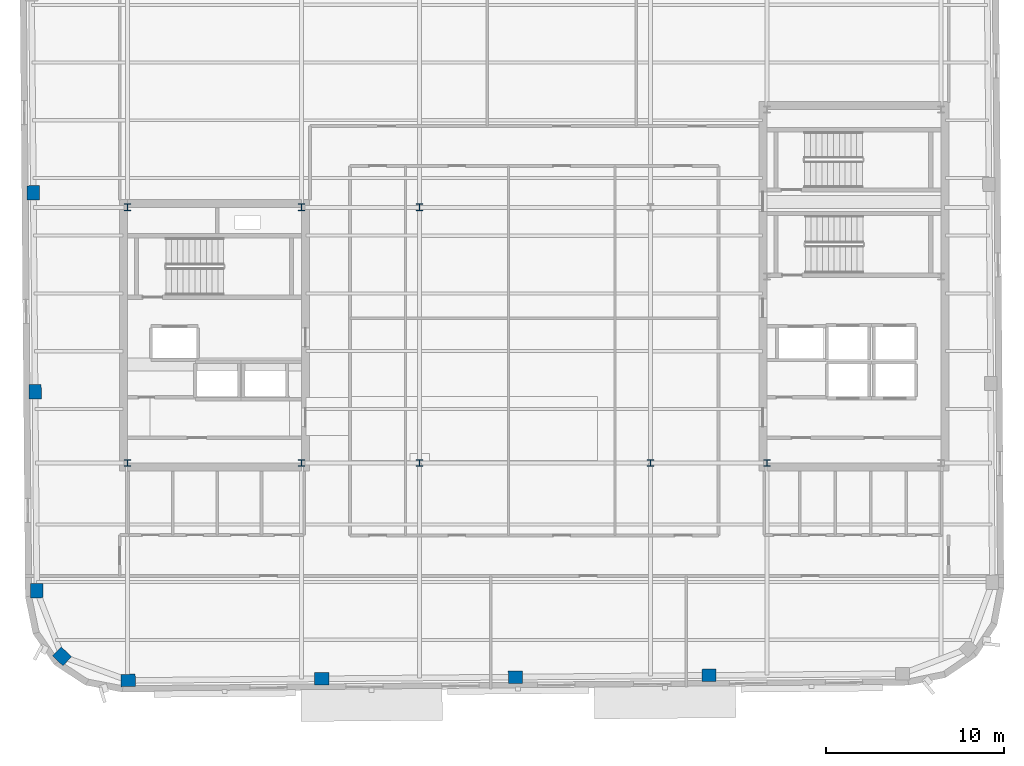
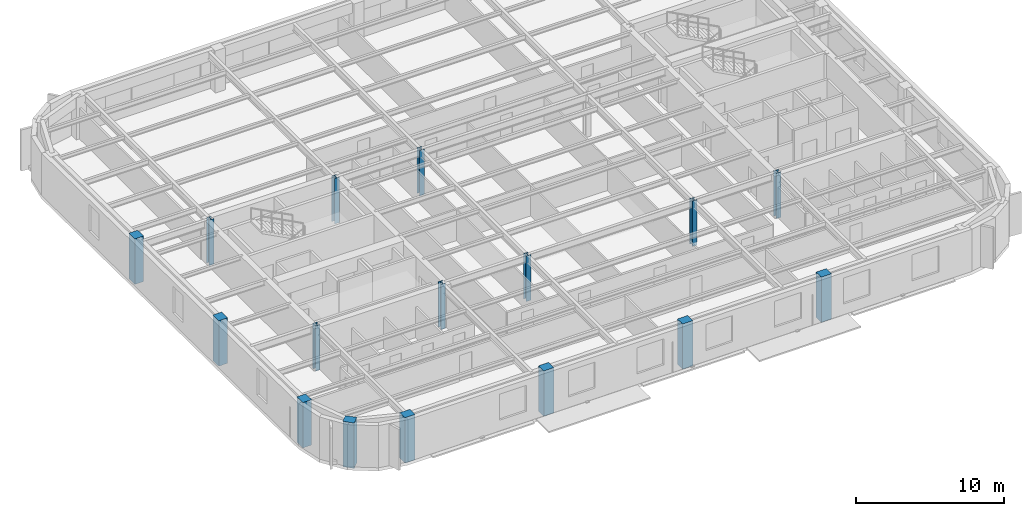
# One storey, part 1 of 15: 16 columns.
"""IFC4 building model written with IfcOpenShell, lengths in metres."""

import ifcopenshell
import ifcopenshell.guid

model = None  # the IFC model being written
_history = None  # IfcOwnerHistory: only IFC2X3 demands one
_inside = {}  # id of a spatial element -> (the spatial element, [elements in it])
_under = {}  # id of a project, library or spatial element -> (it, [spatial elements below it])
_declared = {}  # id of a project -> (the project, [libraries it declares])
_typed = {}  # id of a type object -> (the type object, [elements of that type])
_made_of = {}  # id of a material, layer set ... -> (it, [elements and type objects made of it])


def new_model(schema):
    """Start an empty IFC model of exactly this schema.

    Asked for "IFC4X3", IfcOpenShell would pick the latest addendum, in which some entities
    have other attributes; the version numbers below select the first issue.
    IFC2X3 requires an IfcOwnerHistory on every rooted entity: one is made here for all.
    """
    global model, _history
    if schema == "IFC4X3":
        model = ifcopenshell.file(schema_version=(4, 3, 0, 0))
    else:
        model = ifcopenshell.file(schema=schema)
    _inside.clear()
    _under.clear()
    _declared.clear()
    _typed.clear()
    _made_of.clear()
    _history = None
    if model.schema == "IFC2X3":
        org = make("IfcOrganization", Name="unknown")
        user = make(
            "IfcPersonAndOrganization",
            ThePerson=make("IfcPerson", FamilyName="unknown"),
            TheOrganization=org,
        )
        app = make(
            "IfcApplication",
            ApplicationDeveloper=org,
            Version="unknown",
            ApplicationFullName="unknown",
            ApplicationIdentifier="unknown",
        )
        _history = make(
            "IfcOwnerHistory",
            OwningUser=user,
            OwningApplication=app,
            ChangeAction="ADDED",
            CreationDate=0,
        )
    return model


def make(cls, **values):
    """One entity of the class cls with the attributes given. An attribute that is None is left unset."""
    return model.create_entity(
        cls, **{name: value for name, value in values.items() if value is not None}
    )


def rooted(cls, **values):
    """An entity with a GlobalId (a new one), such as an element, a storey or a relation."""
    return make(cls, GlobalId=ifcopenshell.guid.new(), OwnerHistory=_history, **values)


def si_unit(unit_type, name, prefix=None):
    """IfcSIUnit, for example si_unit("LENGTHUNIT", "METRE", prefix="MILLI")."""
    return make("IfcSIUnit", UnitType=unit_type, Prefix=prefix, Name=name)


def assignment(units):
    """IfcUnitAssignment: the units of a project."""
    return None if units is None else make("IfcUnitAssignment", Units=units)


def point(xyz):
    """IfcCartesianPoint."""
    return None if xyz is None else make("IfcCartesianPoint", Coordinates=xyz)


def direction(xyz):
    """IfcDirection."""
    return None if xyz is None else make("IfcDirection", DirectionRatios=xyz)


def frame(location, z_axis=None, x_axis=None):
    """IfcAxis2Placement3D, a coordinate frame: its origin and axes. An axis left out is left unset."""
    return make(
        "IfcAxis2Placement3D",
        Location=point(location),
        Axis=direction(z_axis),
        RefDirection=direction(x_axis),
    )


def frame_2d(location, x_axis=None):
    """IfcAxis2Placement2D, a coordinate frame in the plane: its origin and x axis."""
    return make(
        "IfcAxis2Placement2D", Location=point(location), RefDirection=direction(x_axis)
    )


def origin():
    """The frame at (0, 0, 0) with its axes left unset."""
    return frame((0.0, 0.0, 0.0))


def origin_2d():
    """The frame at (0, 0) in the plane with its x axis left unset."""
    return frame_2d((0.0, 0.0))


def place(relative_to, where):
    """IfcLocalPlacement: puts the frame where relative to a parent placement (None: the world)."""
    return make(
        "IfcLocalPlacement", PlacementRelTo=relative_to, RelativePlacement=where
    )


def context(
    kind, dimensions, precision=None, world=None, true_north=None, identifier=None
):
    """IfcGeometricRepresentationContext, for example the 3D "Model" context."""
    return make(
        "IfcGeometricRepresentationContext",
        ContextIdentifier=identifier,
        ContextType=kind,
        CoordinateSpaceDimension=dimensions,
        Precision=precision,
        WorldCoordinateSystem=world,
        TrueNorth=true_north,
    )


def subcontext(parent, identifier, kind, view, scale=None):
    """IfcGeometricRepresentationSubContext, for example "Body" below "Model"."""
    return make(
        "IfcGeometricRepresentationSubContext",
        ContextIdentifier=identifier,
        ContextType=kind,
        ParentContext=parent,
        TargetScale=scale,
        TargetView=view,
    )


def project(units=None, contexts=None):
    """IfcProject with its units and contexts."""
    return rooted(
        "IfcProject",
        Name="project",
        RepresentationContexts=contexts,
        UnitsInContext=assignment(units),
    )


def spatial(cls, under=None, at=None, **own):
    """A site, building, storey or space (cls), placed at a placement, below another one or the project."""
    s = rooted(cls, ObjectPlacement=at, **own)
    if under is not None:
        _under.setdefault(under.id(), (under, []))[1].append(s)
    return s


def profile(cls, at=None, kind="AREA", **sizes):
    """A parametric profile (cls). Its sizes go by their IFC names, for example OverallWidth=200.0."""
    return make(cls, ProfileType=kind, Position=at, **sizes)


def rectangle(**sizes):
    """IfcRectangleProfileDef."""
    return profile("IfcRectangleProfileDef", **sizes)


def i_section(**sizes):
    """IfcIShapeProfileDef."""
    return profile("IfcIShapeProfileDef", **sizes)


def extrude(swept, where, along, depth):
    """IfcExtrudedAreaSolid: the profile swept, set in the frame where, extruded along a direction by depth."""
    return make(
        "IfcExtrudedAreaSolid",
        SweptArea=swept,
        Position=where,
        ExtrudedDirection=direction(along),
        Depth=depth,
    )


def shape(context_of_items, identifier, shape_type, items):
    """IfcShapeRepresentation: the items that make up one representation, for example the "Body"."""
    return make(
        "IfcShapeRepresentation",
        ContextOfItems=context_of_items,
        RepresentationIdentifier=identifier,
        RepresentationType=shape_type,
        Items=items,
    )


def material(Name=None, Category=None):
    """IfcMaterial."""
    return make("IfcMaterial", Name=Name, Category=Category)


def material_profile(
    of_material, cross_section, Name=None, Category=None, Priority=None
):
    """IfcMaterialProfile: a cross section and its material."""
    return make(
        "IfcMaterialProfile",
        Name=Name,
        Material=of_material,
        Profile=cross_section,
        Priority=Priority,
        Category=Category,
    )


def profile_set(profiles, Name=None, composite=None):
    """IfcMaterialProfileSet."""
    return make(
        "IfcMaterialProfileSet",
        Name=Name,
        MaterialProfiles=profiles,
        CompositeProfile=composite,
    )


def made_of(thing, what):
    """Note that an element or type object is made of a material, layer set ...; save() writes the relation."""
    if what is not None:
        _made_of.setdefault(what.id(), (what, []))[1].append(thing)
    return thing


def type_object(cls, material=None, **own):
    """A type object (cls), such as IfcWallType, which elements share."""
    return made_of(rooted(cls, **own), material)


def element(
    cls,
    number,
    at=None,
    inside=None,
    cuts=None,
    type_object=None,
    material=None,
    context=None,
    identifier="Body",
    shape_type=None,
    held_by="IfcProductDefinitionShape",
    body=None,
    shapes=None,
    **own,
):
    """One element of the class cls, such as IfcWall. Its Tag is "e" and its number.

    at: its placement. inside: the storey or other place that contains it. cuts: it is an
    opening in that element (IfcRelVoidsElement). A single representation is given by context,
    identifier, shape_type and body (its items); several are given by shapes. held_by: the class
    of the entity that holds the representations. save() writes the other relations.
    """
    e = rooted(cls, Tag="e%d" % number, ObjectPlacement=at, **own)
    if body is not None:
        shapes = [shape(context, identifier, shape_type, body)]
    if shapes is not None:
        e.Representation = make(held_by, Representations=shapes)
    if inside is not None:
        _inside.setdefault(inside.id(), (inside, []))[1].append(e)
    if cuts is not None:
        rooted(
            "IfcRelVoidsElement", RelatingBuildingElement=cuts, RelatedOpeningElement=e
        )
    if type_object is not None:
        _typed.setdefault(type_object.id(), (type_object, []))[1].append(e)
    return made_of(e, material)


def aggregate(whole, parts):
    """IfcRelAggregates: a whole, such as a stair, and the parts it consists of."""
    return rooted("IfcRelAggregates", RelatingObject=whole, RelatedObjects=parts)


def save(model, path):
    """Write the relations noted so far, then the file.

    IfcRelAggregates (storeys below a building ...), IfcRelContainedInSpatialStructure (elements
    in a storey), IfcRelDefinesByType, IfcRelAssociatesMaterial and IfcRelDeclares: one each for
    every whole, place, type object, material and project.
    """
    for whole, parts in _under.values():
        aggregate(whole, parts)
    for where, things in _inside.values():
        rooted(
            "IfcRelContainedInSpatialStructure",
            RelatedElements=things,
            RelatingStructure=where,
        )
    for kind, things in _typed.values():
        rooted("IfcRelDefinesByType", RelatedObjects=things, RelatingType=kind)
    for what, things in _made_of.values():
        rooted("IfcRelAssociatesMaterial", RelatedObjects=things, RelatingMaterial=what)
    for by, libraries in _declared.values():
        rooted("IfcRelDeclares", RelatingContext=by, RelatedDefinitions=libraries)
    model.write(path)


model = new_model("IFC4")

# Units and contexts
model_context = context("Model", 3, precision=1e-05, world=origin(), true_north=direction((0.0, 1.0)))
body_context = subcontext(model_context, "Body", "Model", "MODEL_VIEW")
ifc_project = project(units=[si_unit("LENGTHUNIT", "METRE"), si_unit("AREAUNIT", "SQUARE_METRE"), si_unit("VOLUMEUNIT", "CUBIC_METRE"), si_unit("PLANEANGLEUNIT", "RADIAN"), si_unit("MASSUNIT", "GRAM", prefix="KILO")], contexts=[model_context])

# Site, building, storey
site_placement = place(None, origin())
site = spatial("IfcSite", under=ifc_project, at=site_placement, CompositionType="ELEMENT")
building_placement = place(site_placement, origin())
building = spatial("IfcBuilding", under=site, at=building_placement, Name="Kolvaren Arena Tower", CompositionType="ELEMENT")
storey_placement = place(building_placement, frame((0.0, 0.0, 304.89990234375)))
storey = spatial("IfcBuildingStorey", under=building, at=storey_placement, Name="L75", CompositionType="ELEMENT", Elevation=304.89990234375)

# Columns
ifc_material_1 = material(Name="Precast concrete C50/60", Category="concrete")
ifc_material_profile_1 = material_profile(ifc_material_1, rectangle(XDim=0.800048828125, YDim=0.699951171875, at=origin_2d()), Name="RC-800x700")
ifc_profile_set_1 = profile_set([ifc_material_profile_1], Name="Precast concrete C50/60")
column_type_1 = type_object("IfcColumnType", Name="EXCOL-Z5", PredefinedType="COLUMN", material=ifc_profile_set_1)
for number, where, z_axis, x_axis, name in (
    (1, (14.591796875, 7.210693359375, -0.27001953125), (0.0, 0.0, 1.0), (0.999961923064, 0.008726535498, 0.0), "Exoskeleton Perimeter Column 01 (L75)"),
    (2, (25.491455078125, 7.3056640625, -0.27001953125), (0.0, 0.0, 1.0), (0.999961923064, 0.008726535498, 0.0), "Exoskeleton Perimeter Column 02 (L75)"),
    (3, (36.39111328125, 7.40087890625, -0.27001953125), (0.0, 0.0, 1.0), (0.999961923064, 0.008726535498, 0.0), "Exoskeleton Perimeter Column 03 (L75)"),
    (4, (47.290771484375, 7.49609375, -0.27001953125), (0.0, 0.0, 1.0), (0.999961923064, 0.008726535498, 0.0), "Exoskeleton Perimeter Column 04 (L75)"),
    (5, (9.252197265625, 34.6650390625, -0.27001953125), (0.0, 0.0, 1.0), (-0.008726535498, 0.999961923064, 0.0), "Exoskeleton Perimeter Column 19 (L75)"),
    (6, (9.349853515625, 23.465576171875, -0.27001953125), (0.0, 0.0, 1.0), (-0.008726535498, 0.999961923064, 0.0), "Exoskeleton Perimeter Column 20 (L75)"),
    (7, (9.447509765625, 12.265869140625, -0.27001953125), (0.0, 0.0, 1.0), (-0.008726535498, 0.999961923064, 0.0), "Exoskeleton Perimeter Column 21 (L75)"),
    (8, (10.87109375, 8.5693359375, -0.27001953125), (0.0, 0.0, 1.0), (-0.713250449154, 0.7009092643, 0.0), "Exoskeleton Perimeter Column 22 (L75)"),
):
    element("IfcColumn", number, at=place(storey_placement, frame(where, z_axis=z_axis, x_axis=x_axis)), inside=storey, type_object=column_type_1, Name=name, PredefinedType="COLUMN", context=body_context, shape_type="SweptSolid", body=[
        extrude(rectangle(XDim=0.800048828125, YDim=0.699951171875, at=origin_2d()), origin(), (0.0, 0.0, 1.0), 3.75),
    ])
ifc_material_2 = material(Name="Steel ASTM A913 Grade 65", Category="steel")
ifc_material_profile_2 = material_profile(ifc_material_2, i_section(OverallWidth=0.3740234375, OverallDepth=0.3720703125, WebThickness=0.016357421875, FlangeThickness=0.026123046875, FilletRadius=0.02001953125, at=origin_2d()), Name="W360x196")
ifc_profile_set_2 = profile_set([ifc_material_profile_2], Name="Steel ASTM A913 Grade 65")
column_type_2 = type_object("IfcColumnType", Name="SCOL-Z5", PredefinedType="COLUMN", material=ifc_profile_set_2)
for number, where, z_axis, x_axis, name in (
    (9, (14.550048828125, 19.449951171875, -0.27001953125), (0.0, 0.0, 1.0), (1.0, 0.0, 0.0), "Core Boundary Column WC-SW (L75)"),
    (10, (24.35009765625, 19.449951171875, -0.27001953125), (0.0, 0.0, 1.0), (1.0, 0.0, 0.0), "Core Boundary Column WC-SE (L75)"),
    (11, (14.550048828125, 33.85009765625, -0.27001953125), (0.0, 0.0, 1.0), (1.0, 0.0, 0.0), "Core Boundary Column WC-NW (L75)"),
    (12, (24.35009765625, 33.85009765625, -0.27001953125), (0.0, 0.0, 1.0), (1.0, 0.0, 0.0), "Core Boundary Column WC-NE (L75)"),
    (13, (50.550048828125, 19.449951171875, -0.27001953125), (0.0, 0.0, 1.0), (1.0, 0.0, 0.0), "Core Boundary Column EC-SW (L75)"),
    (14, (31.0, 19.449951171875, -0.27001953125), (0.0, 0.0, 1.0), (1.0, 0.0, 0.0), "Interior Gravity Column TC-SW (L75)"),
    (15, (44.0, 19.449951171875, -0.27001953125), (0.0, 0.0, 1.0), (1.0, 0.0, 0.0), "Interior Gravity Column TC-SE (L75)"),
    (16, (31.0, 33.85009765625, -0.27001953125), (0.0, 0.0, 1.0), (1.0, 0.0, 0.0), "Interior Gravity Column TC-NW (L75)"),
):
    element("IfcColumn", number, at=place(storey_placement, frame(where, z_axis=z_axis, x_axis=x_axis)), inside=storey, type_object=column_type_2, Name=name, PredefinedType="COLUMN", context=body_context, shape_type="SweptSolid", body=[
        extrude(i_section(OverallWidth=0.3740234375, OverallDepth=0.3720703125, WebThickness=0.016357421875, FlangeThickness=0.026123046875, FilletRadius=0.02001953125, at=origin_2d()), origin(), (0.0, 0.0, 1.0), 3.75),
    ])

save(model, "model.ifc")
